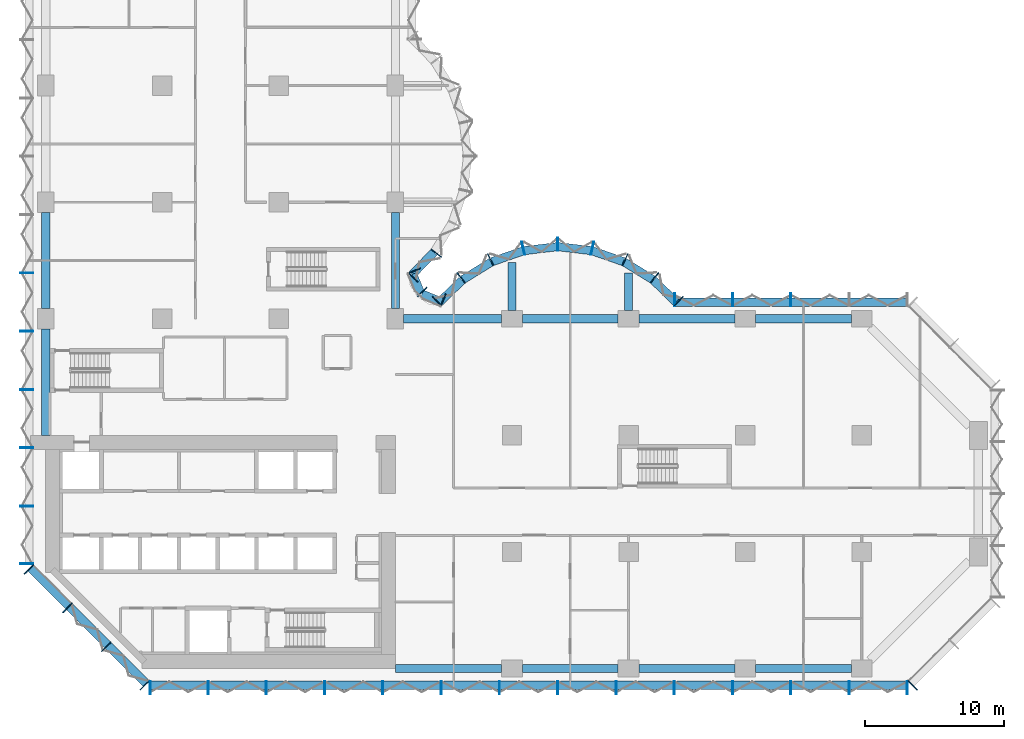
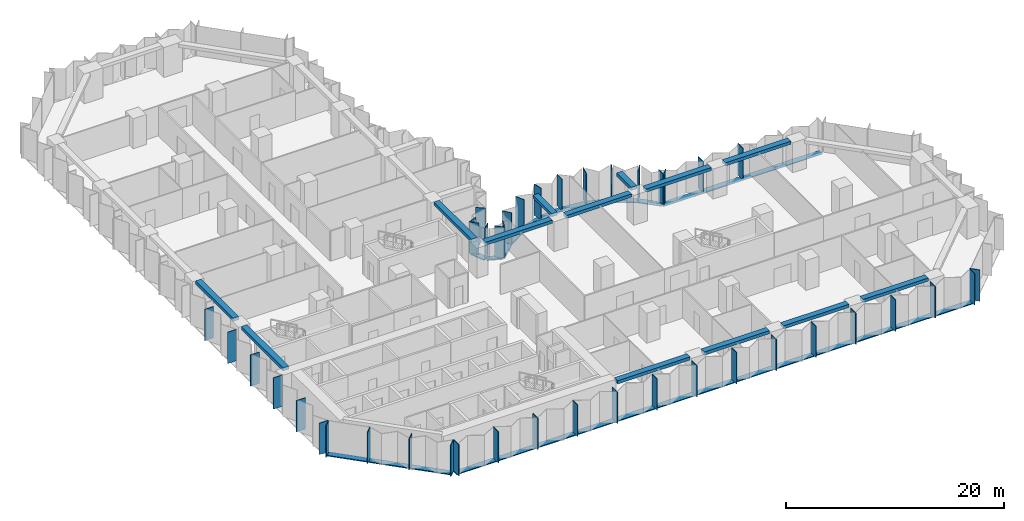
# One storey, part 2 of 15: 56 members, 13 beams, 8 elements without a shape of their own.
"""IFC4 building model written with IfcOpenShell, lengths in metres."""

from ifc_helpers import new_model, si_unit, direction, frame, origin, origin_2d, place, context, subcontext, project, spatial, rectangle, extrude, material, material_profile, profile_set, type_object, element, aggregate, save


model = new_model("IFC4")

# Units and contexts
model_context = context("Model", 3, precision=1e-05, world=origin(), true_north=direction((0.0, 1.0)))
body_context = subcontext(model_context, "Body", "Model", "MODEL_VIEW")
ifc_project = project(units=[si_unit("LENGTHUNIT", "METRE"), si_unit("AREAUNIT", "SQUARE_METRE"), si_unit("VOLUMEUNIT", "CUBIC_METRE"), si_unit("PLANEANGLEUNIT", "RADIAN"), si_unit("MASSUNIT", "GRAM", prefix="KILO")], contexts=[model_context])

# Site, building, storey
site_placement = place(None, origin())
site = spatial("IfcSite", under=ifc_project, at=site_placement, CompositionType="ELEMENT")
building_placement = place(site_placement, origin())
building = spatial("IfcBuilding", under=site, at=building_placement, Name="Brevane Broadcast Tower", CompositionType="ELEMENT")
storey_placement = place(building_placement, frame((0.0, 0.0, 50.89990234375)))
storey = spatial("IfcBuildingStorey", under=building, at=storey_placement, Name="L10", CompositionType="ELEMENT", Elevation=50.89990234375)

# Curtain wall, members
ifc_material_1 = material(Name="Aluminium 6063-T6 bronze anodised", Category="aluminium")
curtain_wall_type = type_object("IfcCurtainWallType", Name="CW-1 curtain wall", PredefinedType="NOTDEFINED", material=ifc_material_1)
curtain_wall_1_placement = place(storey_placement, origin())
curtain_wall_1 = element("IfcCurtainWall", 1, at=curtain_wall_1_placement, inside=storey, type_object=curtain_wall_type, Name="CW-1 typical tilted unit L10 south face", PredefinedType="NOTDEFINED")
ifc_material_profile_1 = material_profile(ifc_material_1, rectangle(XDim=0.949951171875, YDim=0.070068359375, at=origin_2d()), Name="RECT 70x950")
ifc_profile_set_1 = profile_set([ifc_material_profile_1], Name="Aluminium 6063-T6 bronze anodised")
member_type_1 = type_object("IfcMemberType", Name="CW-1 mullion 70x950", PredefinedType="MULLION", material=ifc_profile_set_1)
member_1_placement = place(storey_placement, frame((7.534912109375, -1.375, -0.14990234375), z_axis=(0.0, 0.0, 1.0), x_axis=(0.0, 1.0, 0.0)))
member_1 = element("IfcMember", 2, at=member_1_placement, type_object=member_type_1, Name="CW-1 mullion", PredefinedType="MULLION", context=body_context, shape_type="SweptSolid", body=[
    extrude(rectangle(XDim=0.949951171875, YDim=0.070068359375, at=origin_2d()), origin(), (0.0, 0.0, 1.0), 3.5),
])
member_2_placement = place(storey_placement, frame((11.699951171875, -1.375, -0.14990234375), z_axis=(0.0, 0.0, 1.0), x_axis=(0.0, 1.0, 0.0)))
member_2 = element("IfcMember", 3, at=member_2_placement, type_object=member_type_1, Name="CW-1 mullion", PredefinedType="MULLION", context=body_context, shape_type="SweptSolid", body=[
    extrude(rectangle(XDim=0.949951171875, YDim=0.070068359375, at=origin_2d()), origin(), (0.0, 0.0, 1.0), 3.5),
])
member_3_placement = place(storey_placement, frame((15.89990234375, -1.375, -0.14990234375), z_axis=(0.0, 0.0, 1.0), x_axis=(0.0, 1.0, 0.0)))
member_3 = element("IfcMember", 4, at=member_3_placement, type_object=member_type_1, Name="CW-1 mullion", PredefinedType="MULLION", context=body_context, shape_type="SweptSolid", body=[
    extrude(rectangle(XDim=0.949951171875, YDim=0.070068359375, at=origin_2d()), origin(), (0.0, 0.0, 1.0), 3.5),
])
member_4_placement = place(storey_placement, frame((20.10009765625, -1.375, -0.14990234375), z_axis=(0.0, 0.0, 1.0), x_axis=(0.0, 1.0, 0.0)))
member_4 = element("IfcMember", 5, at=member_4_placement, type_object=member_type_1, Name="CW-1 mullion", PredefinedType="MULLION", context=body_context, shape_type="SweptSolid", body=[
    extrude(rectangle(XDim=0.949951171875, YDim=0.070068359375, at=origin_2d()), origin(), (0.0, 0.0, 1.0), 3.5),
])
member_5_placement = place(storey_placement, frame((24.300048828125, -1.375, -0.14990234375), z_axis=(0.0, 0.0, 1.0), x_axis=(0.0, 1.0, 0.0)))
member_5 = element("IfcMember", 6, at=member_5_placement, type_object=member_type_1, Name="CW-1 mullion", PredefinedType="MULLION", context=body_context, shape_type="SweptSolid", body=[
    extrude(rectangle(XDim=0.949951171875, YDim=0.070068359375, at=origin_2d()), origin(), (0.0, 0.0, 1.0), 3.5),
])
member_6_placement = place(storey_placement, frame((28.5, -1.375, -0.14990234375), z_axis=(0.0, 0.0, 1.0), x_axis=(0.0, 1.0, 0.0)))
member_6 = element("IfcMember", 7, at=member_6_placement, type_object=member_type_1, Name="CW-1 mullion", PredefinedType="MULLION", context=body_context, shape_type="SweptSolid", body=[
    extrude(rectangle(XDim=0.949951171875, YDim=0.070068359375, at=origin_2d()), origin(), (0.0, 0.0, 1.0), 3.5),
])
member_7_placement = place(storey_placement, frame((32.699951171875, -1.375, -0.14990234375), z_axis=(0.0, 0.0, 1.0), x_axis=(0.0, 1.0, 0.0)))
member_7 = element("IfcMember", 8, at=member_7_placement, type_object=member_type_1, Name="CW-1 mullion", PredefinedType="MULLION", context=body_context, shape_type="SweptSolid", body=[
    extrude(rectangle(XDim=0.949951171875, YDim=0.070068359375, at=origin_2d()), origin(), (0.0, 0.0, 1.0), 3.5),
])
member_8_placement = place(storey_placement, frame((36.89990234375, -1.375, -0.14990234375), z_axis=(0.0, 0.0, 1.0), x_axis=(0.0, 1.0, 0.0)))
member_8 = element("IfcMember", 9, at=member_8_placement, type_object=member_type_1, Name="CW-1 mullion", PredefinedType="MULLION", context=body_context, shape_type="SweptSolid", body=[
    extrude(rectangle(XDim=0.949951171875, YDim=0.070068359375, at=origin_2d()), origin(), (0.0, 0.0, 1.0), 3.5),
])
member_9_placement = place(storey_placement, frame((41.10009765625, -1.375, -0.14990234375), z_axis=(0.0, 0.0, 1.0), x_axis=(0.0, 1.0, 0.0)))
member_9 = element("IfcMember", 10, at=member_9_placement, type_object=member_type_1, Name="CW-1 mullion", PredefinedType="MULLION", context=body_context, shape_type="SweptSolid", body=[
    extrude(rectangle(XDim=0.949951171875, YDim=0.070068359375, at=origin_2d()), origin(), (0.0, 0.0, 1.0), 3.5),
])
member_10_placement = place(storey_placement, frame((45.300048828125, -1.375, -0.14990234375), z_axis=(0.0, 0.0, 1.0), x_axis=(0.0, 1.0, 0.0)))
member_10 = element("IfcMember", 11, at=member_10_placement, type_object=member_type_1, Name="CW-1 mullion", PredefinedType="MULLION", context=body_context, shape_type="SweptSolid", body=[
    extrude(rectangle(XDim=0.949951171875, YDim=0.070068359375, at=origin_2d()), origin(), (0.0, 0.0, 1.0), 3.5),
])
member_11_placement = place(storey_placement, frame((49.5, -1.375, -0.14990234375), z_axis=(0.0, 0.0, 1.0), x_axis=(0.0, 1.0, 0.0)))
member_11 = element("IfcMember", 12, at=member_11_placement, type_object=member_type_1, Name="CW-1 mullion", PredefinedType="MULLION", context=body_context, shape_type="SweptSolid", body=[
    extrude(rectangle(XDim=0.949951171875, YDim=0.070068359375, at=origin_2d()), origin(), (0.0, 0.0, 1.0), 3.5),
])
member_12_placement = place(storey_placement, frame((53.699951171875, -1.375, -0.14990234375), z_axis=(0.0, 0.0, 1.0), x_axis=(0.0, 1.0, 0.0)))
member_12 = element("IfcMember", 13, at=member_12_placement, type_object=member_type_1, Name="CW-1 mullion", PredefinedType="MULLION", context=body_context, shape_type="SweptSolid", body=[
    extrude(rectangle(XDim=0.949951171875, YDim=0.070068359375, at=origin_2d()), origin(), (0.0, 0.0, 1.0), 3.5),
])
member_13_placement = place(storey_placement, frame((57.89990234375, -1.375, -0.14990234375), z_axis=(0.0, 0.0, 1.0), x_axis=(0.0, 1.0, 0.0)))
member_13 = element("IfcMember", 14, at=member_13_placement, type_object=member_type_1, Name="CW-1 mullion", PredefinedType="MULLION", context=body_context, shape_type="SweptSolid", body=[
    extrude(rectangle(XDim=0.949951171875, YDim=0.070068359375, at=origin_2d()), origin(), (0.0, 0.0, 1.0), 3.5),
])
member_14_placement = place(storey_placement, frame((62.06494140625, -1.375, -0.14990234375), z_axis=(0.0, 0.0, 1.0), x_axis=(0.0, 1.0, 0.0)))
member_14 = element("IfcMember", 15, at=member_14_placement, type_object=member_type_1, Name="CW-1 mullion", PredefinedType="MULLION", context=body_context, shape_type="SweptSolid", body=[
    extrude(rectangle(XDim=0.949951171875, YDim=0.070068359375, at=origin_2d()), origin(), (0.0, 0.0, 1.0), 3.5),
])

# Curtain wall, member
curtain_wall_2_placement = place(storey_placement, origin())
curtain_wall_2 = element("IfcCurtainWall", 16, at=curtain_wall_2_placement, inside=storey, type_object=curtain_wall_type, Name="CW-1 typical tilted unit L10 south-east chamfer", PredefinedType="NOTDEFINED")
member_15_placement = place(storey_placement, frame((62.460693359375, -1.211181640625, -0.14990234375), z_axis=(0.0, 0.0, 1.0), x_axis=(-0.707106781187, 0.707106781187, 0.0)))
member_15 = element("IfcMember", 17, at=member_15_placement, type_object=member_type_1, Name="CW-1 mullion", PredefinedType="MULLION", context=body_context, shape_type="SweptSolid", body=[
    extrude(rectangle(XDim=0.949951171875, YDim=0.070068359375, at=origin_2d()), origin(), (0.0, 0.0, 1.0), 3.5),
])
aggregate(curtain_wall_2, [member_15])

# Curtain wall, members
curtain_wall_3_placement = place(storey_placement, origin())
curtain_wall_3 = element("IfcCurtainWall", 18, at=curtain_wall_3_placement, inside=storey, type_object=curtain_wall_type, Name="CW-1 typical tilted unit L10 east arm north face", PredefinedType="NOTDEFINED")
member_16_placement = place(storey_placement, frame((53.699951171875, 26.574951171875, -0.14990234375), z_axis=(0.0, 0.0, 1.0), x_axis=(0.0, -1.0, 0.0)))
member_16 = element("IfcMember", 19, at=member_16_placement, type_object=member_type_1, Name="CW-1 mullion", PredefinedType="MULLION", context=body_context, shape_type="SweptSolid", body=[
    extrude(rectangle(XDim=0.949951171875, YDim=0.070068359375, at=origin_2d()), origin(), (0.0, 0.0, 1.0), 3.5),
])
member_17_placement = place(storey_placement, frame((49.5, 26.574951171875, -0.14990234375), z_axis=(0.0, 0.0, 1.0), x_axis=(0.0, -1.0, 0.0)))
member_17 = element("IfcMember", 20, at=member_17_placement, type_object=member_type_1, Name="CW-1 mullion", PredefinedType="MULLION", context=body_context, shape_type="SweptSolid", body=[
    extrude(rectangle(XDim=0.949951171875, YDim=0.070068359375, at=origin_2d()), origin(), (0.0, 0.0, 1.0), 3.5),
])
member_18_placement = place(storey_placement, frame((45.3349609375, 26.574951171875, -0.14990234375), z_axis=(0.0, 0.0, 1.0), x_axis=(0.0, -1.0, 0.0)))
member_18 = element("IfcMember", 21, at=member_18_placement, type_object=member_type_1, Name="CW-1 mullion", PredefinedType="MULLION", context=body_context, shape_type="SweptSolid", body=[
    extrude(rectangle(XDim=0.949951171875, YDim=0.070068359375, at=origin_2d()), origin(), (0.0, 0.0, 1.0), 3.5),
])

curtain_wall_4_placement = place(storey_placement, origin())
curtain_wall_4 = element("IfcCurtainWall", 22, at=curtain_wall_4_placement, inside=storey, type_object=curtain_wall_type, Name="CW-1 typical tilted unit L10 east bow", PredefinedType="NOTDEFINED")
member_19_placement = place(storey_placement, frame((45.60595703125, 26.465087890625, -0.14990234375), z_axis=(0.0, 0.0, 1.0), x_axis=(-0.696811941702, -0.717253872699, 0.0)))
member_19 = element("IfcMember", 23, at=member_19_placement, type_object=member_type_1, Name="CW-1 mullion", PredefinedType="MULLION", context=body_context, shape_type="SweptSolid", body=[
    extrude(rectangle(XDim=0.949951171875, YDim=0.070068359375, at=origin_2d()), origin(), (0.0, 0.0, 1.0), 3.5),
])
member_20_placement = place(storey_placement, frame((43.8720703125, 28.1455078125, -0.14990234375), z_axis=(0.0, 0.0, 1.0), x_axis=(-0.614769738617, -0.788706642853, 0.0)))
member_20 = element("IfcMember", 24, at=member_20_placement, type_object=member_type_1, Name="CW-1 mullion", PredefinedType="MULLION", context=body_context, shape_type="SweptSolid", body=[
    extrude(rectangle(XDim=0.949951171875, YDim=0.070068359375, at=origin_2d()), origin(), (0.0, 0.0, 1.0), 3.5),
])
member_21_placement = place(storey_placement, frame((41.746826171875, 29.4580078125, -0.14990234375), z_axis=(0.0, 0.0, 1.0), x_axis=(-0.429933601163, -0.902860508933, 0.0)))
member_21 = element("IfcMember", 25, at=member_21_placement, type_object=member_type_1, Name="CW-1 mullion", PredefinedType="MULLION", context=body_context, shape_type="SweptSolid", body=[
    extrude(rectangle(XDim=0.949951171875, YDim=0.070068359375, at=origin_2d()), origin(), (0.0, 0.0, 1.0), 3.5),
])
member_22_placement = place(storey_placement, frame((39.38818359375, 30.28076171875, -0.14990234375), z_axis=(0.0, 0.0, 1.0), x_axis=(-0.224806482215, -0.974403430594, 0.0)))
member_22 = element("IfcMember", 26, at=member_22_placement, type_object=member_type_1, Name="CW-1 mullion", PredefinedType="MULLION", context=body_context, shape_type="SweptSolid", body=[
    extrude(rectangle(XDim=0.949951171875, YDim=0.070068359375, at=origin_2d()), origin(), (0.0, 0.0, 1.0), 3.5),
])
member_23_placement = place(storey_placement, frame((36.89990234375, 30.574951171875, -0.14990234375), z_axis=(0.0, 0.0, 1.0), x_axis=(0.0, -1.0, 0.0)))
member_23 = element("IfcMember", 27, at=member_23_placement, type_object=member_type_1, Name="CW-1 mullion", PredefinedType="MULLION", context=body_context, shape_type="SweptSolid", body=[
    extrude(rectangle(XDim=0.949951171875, YDim=0.070068359375, at=origin_2d()), origin(), (0.0, 0.0, 1.0), 3.5),
])
member_24_placement = place(storey_placement, frame((34.411865234375, 30.28076171875, -0.14990234375), z_axis=(0.0, 0.0, 1.0), x_axis=(0.224806482215, -0.974403430594, 0.0)))
member_24 = element("IfcMember", 28, at=member_24_placement, type_object=member_type_1, Name="CW-1 mullion", PredefinedType="MULLION", context=body_context, shape_type="SweptSolid", body=[
    extrude(rectangle(XDim=0.949951171875, YDim=0.070068359375, at=origin_2d()), origin(), (0.0, 0.0, 1.0), 3.5),
])
member_25_placement = place(storey_placement, frame((32.05322265625, 29.4580078125, -0.14990234375), z_axis=(0.0, 0.0, 1.0), x_axis=(0.429933601163, -0.902860508933, 0.0)))
member_25 = element("IfcMember", 29, at=member_25_placement, type_object=member_type_1, Name="CW-1 mullion", PredefinedType="MULLION", context=body_context, shape_type="SweptSolid", body=[
    extrude(rectangle(XDim=0.949951171875, YDim=0.070068359375, at=origin_2d()), origin(), (0.0, 0.0, 1.0), 3.5),
])
member_26_placement = place(storey_placement, frame((29.927978515625, 28.1455078125, -0.14990234375), z_axis=(0.0, 0.0, 1.0), x_axis=(0.614769738617, -0.788706642853, 0.0)))
member_26 = element("IfcMember", 30, at=member_26_placement, type_object=member_type_1, Name="CW-1 mullion", PredefinedType="MULLION", context=body_context, shape_type="SweptSolid", body=[
    extrude(rectangle(XDim=0.949951171875, YDim=0.070068359375, at=origin_2d()), origin(), (0.0, 0.0, 1.0), 3.5),
])
member_27_placement = place(storey_placement, frame((28.194091796875, 26.465087890625, -0.14990234375), z_axis=(0.0, 0.0, 1.0), x_axis=(0.696811941702, -0.717253872699, 0.0)))
member_27 = element("IfcMember", 31, at=member_27_placement, type_object=member_type_1, Name="CW-1 mullion", PredefinedType="MULLION", context=body_context, shape_type="SweptSolid", body=[
    extrude(rectangle(XDim=0.949951171875, YDim=0.070068359375, at=origin_2d()), origin(), (0.0, 0.0, 1.0), 3.5),
])

curtain_wall_5_placement = place(storey_placement, origin())
curtain_wall_5 = element("IfcCurtainWall", 32, at=curtain_wall_5_placement, inside=storey, type_object=curtain_wall_type, Name="CW-1 typical tilted unit L10 inner corner", PredefinedType="NOTDEFINED")
member_28_placement = place(storey_placement, frame((28.6494140625, 26.55224609375, -0.14990234375), z_axis=(0.0, 0.0, 1.0), x_axis=(-0.382683612978, -0.923879457699, 0.0)))
member_28 = element("IfcMember", 33, at=member_28_placement, type_object=member_type_1, Name="CW-1 mullion", PredefinedType="MULLION", context=body_context, shape_type="SweptSolid", body=[
    extrude(rectangle(XDim=0.949951171875, YDim=0.070068359375, at=origin_2d()), origin(), (0.0, 0.0, 1.0), 3.5),
])
member_29_placement = place(storey_placement, frame((27.138916015625, 27.138916015625, -0.14990234375), z_axis=(0.0, 0.0, 1.0), x_axis=(-0.707106781187, -0.707106781187, 0.0)))
member_29 = element("IfcMember", 34, at=member_29_placement, type_object=member_type_1, Name="CW-1 mullion", PredefinedType="MULLION", context=body_context, shape_type="SweptSolid", body=[
    extrude(rectangle(XDim=0.949951171875, YDim=0.070068359375, at=origin_2d()), origin(), (0.0, 0.0, 1.0), 3.5),
])
member_30_placement = place(storey_placement, frame((26.55224609375, 28.6494140625, -0.14990234375), z_axis=(0.0, 0.0, 1.0), x_axis=(-0.923879457699, -0.382683612978, 0.0)))
member_30 = element("IfcMember", 35, at=member_30_placement, type_object=member_type_1, Name="CW-1 mullion", PredefinedType="MULLION", context=body_context, shape_type="SweptSolid", body=[
    extrude(rectangle(XDim=0.949951171875, YDim=0.070068359375, at=origin_2d()), origin(), (0.0, 0.0, 1.0), 3.5),
])

curtain_wall_6_placement = place(storey_placement, origin())
curtain_wall_6 = element("IfcCurtainWall", 36, at=curtain_wall_6_placement, inside=storey, type_object=curtain_wall_type, Name="CW-1 typical tilted unit L10 north bow", PredefinedType="NOTDEFINED")
member_31_placement = place(storey_placement, frame((26.465087890625, 28.194091796875, -0.14990234375), z_axis=(0.0, 0.0, 1.0), x_axis=(-0.717253872699, 0.696811941702, 0.0)))
member_31 = element("IfcMember", 37, at=member_31_placement, type_object=member_type_1, Name="CW-1 mullion", PredefinedType="MULLION", context=body_context, shape_type="SweptSolid", body=[
    extrude(rectangle(XDim=0.949951171875, YDim=0.070068359375, at=origin_2d()), origin(), (0.0, 0.0, 1.0), 3.5),
])
member_32_placement = place(storey_placement, frame((28.1455078125, 29.927978515625, -0.14990234375), z_axis=(0.0, 0.0, 1.0), x_axis=(-0.788706642853, 0.614769738617, 0.0)))
member_32 = element("IfcMember", 38, at=member_32_placement, type_object=member_type_1, Name="CW-1 mullion", PredefinedType="MULLION", context=body_context, shape_type="SweptSolid", body=[
    extrude(rectangle(XDim=0.949951171875, YDim=0.070068359375, at=origin_2d()), origin(), (0.0, 0.0, 1.0), 3.5),
])

curtain_wall_7_placement = place(storey_placement, origin())
curtain_wall_7 = element("IfcCurtainWall", 39, at=curtain_wall_7_placement, inside=storey, type_object=curtain_wall_type, Name="CW-1 typical tilted unit L10 west face", PredefinedType="NOTDEFINED")
member_33_placement = place(storey_placement, frame((-1.375, 28.5, -0.14990234375), z_axis=(0.0, 0.0, 1.0), x_axis=(1.0, 0.0, 0.0)))
member_33 = element("IfcMember", 40, at=member_33_placement, type_object=member_type_1, Name="CW-1 mullion", PredefinedType="MULLION", context=body_context, shape_type="SweptSolid", body=[
    extrude(rectangle(XDim=0.949951171875, YDim=0.070068359375, at=origin_2d()), origin(), (0.0, 0.0, 1.0), 3.5),
])
member_34_placement = place(storey_placement, frame((-1.375, 24.300048828125, -0.14990234375), z_axis=(0.0, 0.0, 1.0), x_axis=(1.0, 0.0, 0.0)))
member_34 = element("IfcMember", 41, at=member_34_placement, type_object=member_type_1, Name="CW-1 mullion", PredefinedType="MULLION", context=body_context, shape_type="SweptSolid", body=[
    extrude(rectangle(XDim=0.949951171875, YDim=0.070068359375, at=origin_2d()), origin(), (0.0, 0.0, 1.0), 3.5),
])
member_35_placement = place(storey_placement, frame((-1.375, 20.10009765625, -0.14990234375), z_axis=(0.0, 0.0, 1.0), x_axis=(1.0, 0.0, 0.0)))
member_35 = element("IfcMember", 42, at=member_35_placement, type_object=member_type_1, Name="CW-1 mullion", PredefinedType="MULLION", context=body_context, shape_type="SweptSolid", body=[
    extrude(rectangle(XDim=0.949951171875, YDim=0.070068359375, at=origin_2d()), origin(), (0.0, 0.0, 1.0), 3.5),
])
member_36_placement = place(storey_placement, frame((-1.375, 15.89990234375, -0.14990234375), z_axis=(0.0, 0.0, 1.0), x_axis=(1.0, 0.0, 0.0)))
member_36 = element("IfcMember", 43, at=member_36_placement, type_object=member_type_1, Name="CW-1 mullion", PredefinedType="MULLION", context=body_context, shape_type="SweptSolid", body=[
    extrude(rectangle(XDim=0.949951171875, YDim=0.070068359375, at=origin_2d()), origin(), (0.0, 0.0, 1.0), 3.5),
])
member_37_placement = place(storey_placement, frame((-1.375, 11.699951171875, -0.14990234375), z_axis=(0.0, 0.0, 1.0), x_axis=(1.0, 0.0, 0.0)))
member_37 = element("IfcMember", 44, at=member_37_placement, type_object=member_type_1, Name="CW-1 mullion", PredefinedType="MULLION", context=body_context, shape_type="SweptSolid", body=[
    extrude(rectangle(XDim=0.949951171875, YDim=0.070068359375, at=origin_2d()), origin(), (0.0, 0.0, 1.0), 3.5),
])
member_38_placement = place(storey_placement, frame((-1.375, 7.534912109375, -0.14990234375), z_axis=(0.0, 0.0, 1.0), x_axis=(1.0, 0.0, 0.0)))
member_38 = element("IfcMember", 45, at=member_38_placement, type_object=member_type_1, Name="CW-1 mullion", PredefinedType="MULLION", context=body_context, shape_type="SweptSolid", body=[
    extrude(rectangle(XDim=0.949951171875, YDim=0.070068359375, at=origin_2d()), origin(), (0.0, 0.0, 1.0), 3.5),
])
aggregate(curtain_wall_7, [member_33, member_34, member_35, member_36, member_37, member_38])

curtain_wall_8_placement = place(storey_placement, origin())
curtain_wall_8 = element("IfcCurtainWall", 46, at=curtain_wall_8_placement, inside=storey, type_object=curtain_wall_type, Name="CW-1 typical tilted unit L10 south-west chamfer", PredefinedType="NOTDEFINED")
member_39_placement = place(storey_placement, frame((-1.211181640625, 7.139404296875, -0.14990234375), z_axis=(0.0, 0.0, 1.0), x_axis=(0.707106781187, 0.707106781187, 0.0)))
member_39 = element("IfcMember", 47, at=member_39_placement, type_object=member_type_1, Name="CW-1 mullion", PredefinedType="MULLION", context=body_context, shape_type="SweptSolid", body=[
    extrude(rectangle(XDim=0.949951171875, YDim=0.070068359375, at=origin_2d()), origin(), (0.0, 0.0, 1.0), 3.5),
])
member_40_placement = place(storey_placement, frame((1.564208984375, 4.364013671875, -0.14990234375), z_axis=(0.0, 0.0, 1.0), x_axis=(0.707106781187, 0.707106781187, 0.0)))
member_40 = element("IfcMember", 48, at=member_40_placement, type_object=member_type_1, Name="CW-1 mullion", PredefinedType="MULLION", context=body_context, shape_type="SweptSolid", body=[
    extrude(rectangle(XDim=0.949951171875, YDim=0.070068359375, at=origin_2d()), origin(), (0.0, 0.0, 1.0), 3.5),
])
member_41_placement = place(storey_placement, frame((4.364013671875, 1.564208984375, -0.14990234375), z_axis=(0.0, 0.0, 1.0), x_axis=(0.707106781187, 0.707106781187, 0.0)))
member_41 = element("IfcMember", 49, at=member_41_placement, type_object=member_type_1, Name="CW-1 mullion", PredefinedType="MULLION", context=body_context, shape_type="SweptSolid", body=[
    extrude(rectangle(XDim=0.949951171875, YDim=0.070068359375, at=origin_2d()), origin(), (0.0, 0.0, 1.0), 3.5),
])
member_42_placement = place(storey_placement, frame((7.139404296875, -1.211181640625, -0.14990234375), z_axis=(0.0, 0.0, 1.0), x_axis=(0.707106781187, 0.707106781187, 0.0)))
member_42 = element("IfcMember", 50, at=member_42_placement, type_object=member_type_1, Name="CW-1 mullion", PredefinedType="MULLION", context=body_context, shape_type="SweptSolid", body=[
    extrude(rectangle(XDim=0.949951171875, YDim=0.070068359375, at=origin_2d()), origin(), (0.0, 0.0, 1.0), 3.5),
])

# Member
ifc_material_profile_2 = material_profile(ifc_material_1, rectangle(XDim=0.60009765625, YDim=0.10009765625, at=origin_2d()), Name="RECT 100x600")
ifc_profile_set_2 = profile_set([ifc_material_profile_2], Name="Aluminium 6063-T6 bronze anodised")
member_type_2 = type_object("IfcMemberType", Name="CW-1 transom 100x600", PredefinedType="USERDEFINED", material=ifc_profile_set_2)
member_43_placement = place(storey_placement, frame((7.5, -1.199951171875, -0.199951171875), z_axis=(1.0, 0.0, 0.0), x_axis=(0.0, 1.0, 0.0)))
member_43 = element("IfcMember", 51, at=member_43_placement, type_object=member_type_2, Name="CW-1 transom", ObjectType="TRANSOM", PredefinedType="USERDEFINED", context=body_context, shape_type="SweptSolid", body=[
    extrude(rectangle(XDim=0.60009765625, YDim=0.10009765625, at=origin_2d()), origin(), (0.0, 0.0, 1.0), 54.60009765625),
])

aggregate(curtain_wall_1, [member_1, member_2, member_3, member_4, member_5, member_6, member_7, member_8, member_9, member_10, member_11, member_12, member_13, member_14, member_43])

member_44_placement = place(storey_placement, frame((62.10009765625, 26.39990234375, -0.199951171875), z_axis=(-1.0, 0.0, 0.0), x_axis=(0.0, -1.0, 0.0)))
member_44 = element("IfcMember", 52, at=member_44_placement, type_object=member_type_2, Name="CW-1 transom", ObjectType="TRANSOM", PredefinedType="USERDEFINED", context=body_context, shape_type="SweptSolid", body=[
    extrude(rectangle(XDim=0.60009765625, YDim=0.10009765625, at=origin_2d()), origin(), (0.0, 0.0, 1.0), 16.800048828125),
])

aggregate(curtain_wall_3, [member_16, member_17, member_18, member_44])

member_45_placement = place(storey_placement, frame((45.412841796875, 26.407958984375, -0.199951171875), z_axis=(-0.71724215871, 0.696823999134, 0.0), x_axis=(-0.696823999134, -0.71724215871, 0.0)))
member_45 = element("IfcMember", 53, at=member_45_placement, type_object=member_type_2, Name="CW-1 transom", ObjectType="TRANSOM", PredefinedType="USERDEFINED", context=body_context, shape_type="SweptSolid", body=[
    extrude(rectangle(XDim=0.60009765625, YDim=0.10009765625, at=origin_2d()), origin(), (0.0, 0.0, 1.0), 2.247802734375),
])

member_46_placement = place(storey_placement, frame((43.7421875, 28.023193359375, -0.199951171875), z_axis=(-0.850810063131, 0.525473345162, 0.0), x_axis=(-0.525473345162, -0.850810063131, 0.0)))
member_46 = element("IfcMember", 54, at=member_46_placement, type_object=member_type_2, Name="CW-1 transom", ObjectType="TRANSOM", PredefinedType="USERDEFINED", context=body_context, shape_type="SweptSolid", body=[
    extrude(rectangle(XDim=0.60009765625, YDim=0.10009765625, at=origin_2d()), origin(), (0.0, 0.0, 1.0), 2.39453125),
])

member_47_placement = place(storey_placement, frame((41.63623046875, 29.314208984375, -0.199951171875), z_axis=(-0.944197969542, 0.329378497041, 0.0), x_axis=(-0.329378497041, -0.944197969542, 0.0)))
member_47 = element("IfcMember", 55, at=member_47_placement, type_object=member_type_2, Name="CW-1 transom", ObjectType="TRANSOM", PredefinedType="USERDEFINED", context=body_context, shape_type="SweptSolid", body=[
    extrude(rectangle(XDim=0.60009765625, YDim=0.10009765625, at=origin_2d()), origin(), (0.0, 0.0, 1.0), 2.394775390625),
])

member_48_placement = place(storey_placement, frame((39.30029296875, 30.117431640625, -0.199951171875), z_axis=(-0.993062061831, 0.117591417, 0.0), x_axis=(-0.117591417, -0.993062061831, 0.0)))
member_48 = element("IfcMember", 56, at=member_48_placement, type_object=member_type_2, Name="CW-1 transom", ObjectType="TRANSOM", PredefinedType="USERDEFINED", context=body_context, shape_type="SweptSolid", body=[
    extrude(rectangle(XDim=0.60009765625, YDim=0.10009765625, at=origin_2d()), origin(), (0.0, 0.0, 1.0), 2.39794921875),
])

member_49_placement = place(storey_placement, frame((36.880859375, 30.3994140625, -0.199951171875), z_axis=(-0.993060653805, -0.117603307202, 0.0), x_axis=(0.117603307202, -0.993060653805, 0.0)))
member_49 = element("IfcMember", 57, at=member_49_placement, type_object=member_type_2, Name="CW-1 transom", ObjectType="TRANSOM", PredefinedType="USERDEFINED", context=body_context, shape_type="SweptSolid", body=[
    extrude(rectangle(XDim=0.60009765625, YDim=0.10009765625, at=origin_2d()), origin(), (0.0, 0.0, 1.0), 2.397705078125),
])

member_50_placement = place(storey_placement, frame((34.425048828125, 30.10302734375, -0.199951171875), z_axis=(-0.944197969542, -0.329378497041, 0.0), x_axis=(0.329378497041, -0.944197969542, 0.0)))
member_50 = element("IfcMember", 58, at=member_50_placement, type_object=member_type_2, Name="CW-1 transom", ObjectType="TRANSOM", PredefinedType="USERDEFINED", context=body_context, shape_type="SweptSolid", body=[
    extrude(rectangle(XDim=0.60009765625, YDim=0.10009765625, at=origin_2d()), origin(), (0.0, 0.0, 1.0), 2.394775390625),
])

member_51_placement = place(storey_placement, frame((32.09521484375, 29.281494140625, -0.199951171875), z_axis=(-0.850838211365, -0.525427766759, 0.0), x_axis=(0.525427766759, -0.850838211365, 0.0)))
member_51 = element("IfcMember", 59, at=member_51_placement, type_object=member_type_2, Name="CW-1 transom", ObjectType="TRANSOM", PredefinedType="USERDEFINED", context=body_context, shape_type="SweptSolid", body=[
    extrude(rectangle(XDim=0.60009765625, YDim=0.10009765625, at=origin_2d()), origin(), (0.0, 0.0, 1.0), 2.394775390625),
])

member_52_placement = place(storey_placement, frame((29.99951171875, 27.974365234375, -0.199951171875), z_axis=(-0.71724215871, -0.696823999134, 0.0), x_axis=(0.696823999134, -0.71724215871, 0.0)))
member_52 = element("IfcMember", 60, at=member_52_placement, type_object=member_type_2, Name="CW-1 transom", ObjectType="TRANSOM", PredefinedType="USERDEFINED", context=body_context, shape_type="SweptSolid", body=[
    extrude(rectangle(XDim=0.60009765625, YDim=0.10009765625, at=origin_2d()), origin(), (0.0, 0.0, 1.0), 2.247802734375),
])

aggregate(curtain_wall_4, [member_19, member_20, member_21, member_22, member_23, member_24, member_25, member_26, member_27, member_45, member_46, member_47, member_48, member_49, member_50, member_51, member_52])

member_53_placement = place(storey_placement, frame((28.528076171875, 26.40673828125, -0.199951171875), z_axis=(-0.923883243627, 0.382674472816, 0.0), x_axis=(-0.382674472816, -0.923883243627, 0.0)))
member_53 = element("IfcMember", 61, at=member_53_placement, type_object=member_type_2, Name="CW-1 transom", ObjectType="TRANSOM", PredefinedType="USERDEFINED", context=body_context, shape_type="SweptSolid", body=[
    extrude(rectangle(XDim=0.60009765625, YDim=0.10009765625, at=origin_2d()), origin(), (0.0, 0.0, 1.0), 1.536865234375),
])

member_54_placement = place(storey_placement, frame((27.039794921875, 27.0, -0.199951171875), z_axis=(-0.382674472816, 0.923883243627, 0.0), x_axis=(-0.923883243627, -0.382674472816, 0.0)))
member_54 = element("IfcMember", 62, at=member_54_placement, type_object=member_type_2, Name="CW-1 transom", ObjectType="TRANSOM", PredefinedType="USERDEFINED", context=body_context, shape_type="SweptSolid", body=[
    extrude(rectangle(XDim=0.60009765625, YDim=0.10009765625, at=origin_2d()), origin(), (0.0, 0.0, 1.0), 1.536865234375),
])

aggregate(curtain_wall_5, [member_28, member_29, member_30, member_53, member_54])

member_55_placement = place(storey_placement, frame((26.407958984375, 28.38720703125, -0.199951171875), z_axis=(0.696823999134, 0.71724215871, 0.0), x_axis=(-0.71724215871, 0.696823999134, 0.0)))
member_55 = element("IfcMember", 63, at=member_55_placement, type_object=member_type_2, Name="CW-1 transom", ObjectType="TRANSOM", PredefinedType="USERDEFINED", context=body_context, shape_type="SweptSolid", body=[
    extrude(rectangle(XDim=0.60009765625, YDim=0.10009765625, at=origin_2d()), origin(), (0.0, 0.0, 1.0), 2.247802734375),
])

aggregate(curtain_wall_6, [member_31, member_32, member_55])

member_56_placement = place(storey_placement, frame((-1.112060546875, 7.287841796875, -0.199951171875), z_axis=(0.707106781187, -0.707106781187, 0.0), x_axis=(0.707106781187, 0.707106781187, 0.0)))
member_56 = element("IfcMember", 64, at=member_56_placement, type_object=member_type_2, Name="CW-1 transom", ObjectType="TRANSOM", PredefinedType="USERDEFINED", context=body_context, shape_type="SweptSolid", body=[
    extrude(rectangle(XDim=0.60009765625, YDim=0.10009765625, at=origin_2d()), origin(), (0.0, 0.0, 1.0), 11.879150390625),
])

aggregate(curtain_wall_8, [member_39, member_40, member_41, member_42, member_56])

# Beams
ifc_material_2 = material(Name="Concrete C40/50", Category="concrete")
ifc_material_profile_3 = material_profile(ifc_material_2, rectangle(XDim=0.60009765625, YDim=0.35009765625, at=origin_2d()), Name="RC 600x350")
ifc_profile_set_3 = profile_set([ifc_material_profile_3], Name="Concrete C40/50")
beam_type_1 = type_object("IfcBeamType", Name="RC BRACKET BEAM 600x350 C40/50", PredefinedType="BEAM", material=ifc_profile_set_3)
beam_1_placement = place(storey_placement, frame((33.60009765625, 25.800048828125, 3.175048828125), z_axis=(0.0, 1.0, 0.0), x_axis=(-1.0, 0.0, 0.0)))
element("IfcBeam", 65, at=beam_1_placement, inside=storey, type_object=beam_type_1, Name="EB2 L10-3", PredefinedType="BEAM", context=body_context, shape_type="SweptSolid", body=[
    extrude(rectangle(XDim=0.60009765625, YDim=0.35009765625, at=origin_2d()), origin(), (0.0, 0.0, 1.0), 3.4619140625),
])
beam_2_placement = place(storey_placement, frame((42.0, 25.800048828125, 3.175048828125), z_axis=(0.0, 1.0, 0.0), x_axis=(-1.0, 0.0, 0.0)))
element("IfcBeam", 66, at=beam_2_placement, inside=storey, type_object=beam_type_1, Name="EB2 L10-4", PredefinedType="BEAM", context=body_context, shape_type="SweptSolid", body=[
    extrude(rectangle(XDim=0.60009765625, YDim=0.35009765625, at=origin_2d()), origin(), (0.0, 0.0, 1.0), 2.71142578125),
])
ifc_material_profile_4 = material_profile(ifc_material_2, rectangle(XDim=0.60009765625, YDim=0.35009765625, at=origin_2d()), Name="RC 600x350")
ifc_profile_set_4 = profile_set([ifc_material_profile_4], Name="Concrete C40/50")
beam_type_2 = type_object("IfcBeamType", Name="RC SPANDREL BEAM 600x350 C40/50", PredefinedType="SPANDREL", material=ifc_profile_set_4)
beam_3_placement = place(storey_placement, frame((25.199951171875, 0.0, 3.175048828125), z_axis=(1.0, 0.0, 0.0), x_axis=(0.0, 1.0, 0.0)))
element("IfcBeam", 67, at=beam_3_placement, inside=storey, type_object=beam_type_2, Name="EB1 L10-1", PredefinedType="SPANDREL", context=body_context, shape_type="SweptSolid", body=[
    extrude(rectangle(XDim=0.60009765625, YDim=0.35009765625, at=origin_2d()), origin(), (0.0, 0.0, 1.0), 7.650146484375),
])
for number, where, z_axis, x_axis, name in (
    (68, (34.35009765625, 0.0, 3.175048828125), (1.0, 0.0, 0.0), (0.0, 1.0, 0.0), "EB1 L10-2"),
    (69, (42.75, 0.0, 3.175048828125), (1.0, 0.0, 0.0), (0.0, 1.0, 0.0), "EB1 L10-3"),
):
    element("IfcBeam", number, at=place(storey_placement, frame(where, z_axis=z_axis, x_axis=x_axis)), inside=storey, type_object=beam_type_2, Name=name, PredefinedType="SPANDREL", context=body_context, shape_type="SweptSolid", body=[
        extrude(rectangle(XDim=0.60009765625, YDim=0.35009765625, at=origin_2d()), origin(), (0.0, 0.0, 1.0), 6.89990234375),
    ])
for number, where, z_axis, x_axis, name in (
    (70, (51.14990234375, 0.0, 3.175048828125), (1.0, 0.0, 0.0), (0.0, 1.0, 0.0), "EB1 L10-4"),
    (71, (58.050048828125, 25.199951171875, 3.175048828125), (-1.0, 0.0, 0.0), (0.0, -1.0, 0.0), "EB1 L10-8"),
):
    element("IfcBeam", number, at=place(storey_placement, frame(where, z_axis=z_axis, x_axis=x_axis)), inside=storey, type_object=beam_type_2, Name=name, PredefinedType="SPANDREL", context=body_context, shape_type="SweptSolid", body=[
        extrude(rectangle(XDim=0.60009765625, YDim=0.35009765625, at=origin_2d()), origin(), (0.0, 0.0, 1.0), 6.900146484375),
    ])
for number, where, z_axis, x_axis, name in (
    (72, (49.64990234375, 25.199951171875, 3.175048828125), (-1.0, 0.0, 0.0), (0.0, -1.0, 0.0), "EB1 L10-9"),
    (73, (41.25, 25.199951171875, 3.175048828125), (-1.0, 0.0, 0.0), (0.0, -1.0, 0.0), "EB1 L10-10"),
):
    element("IfcBeam", number, at=place(storey_placement, frame(where, z_axis=z_axis, x_axis=x_axis)), inside=storey, type_object=beam_type_2, Name=name, PredefinedType="SPANDREL", context=body_context, shape_type="SweptSolid", body=[
        extrude(rectangle(XDim=0.60009765625, YDim=0.35009765625, at=origin_2d()), origin(), (0.0, 0.0, 1.0), 6.89990234375),
    ])
beam_4_placement = place(storey_placement, frame((32.85009765625, 25.199951171875, 3.175048828125), z_axis=(-1.0, 0.0, 0.0), x_axis=(0.0, -1.0, 0.0)))
element("IfcBeam", 74, at=beam_4_placement, inside=storey, type_object=beam_type_2, Name="EB1 L10-11", PredefinedType="SPANDREL", context=body_context, shape_type="SweptSolid", body=[
    extrude(rectangle(XDim=0.60009765625, YDim=0.35009765625, at=origin_2d()), origin(), (0.0, 0.0, 1.0), 7.050048828125),
])
for number, where, z_axis, x_axis, name in (
    (75, (25.199951171875, 25.949951171875, 3.175048828125), (0.0, 1.0, 0.0), (-1.0, 0.0, 0.0), "EB1 L10-12"),
    (76, (0.0, 32.85009765625, 3.175048828125), (0.0, -1.0, 0.0), (1.0, 0.0, 0.0), "EB1 L10-22"),
):
    element("IfcBeam", number, at=place(storey_placement, frame(where, z_axis=z_axis, x_axis=x_axis)), inside=storey, type_object=beam_type_2, Name=name, PredefinedType="SPANDREL", context=body_context, shape_type="SweptSolid", body=[
        extrude(rectangle(XDim=0.60009765625, YDim=0.35009765625, at=origin_2d()), origin(), (0.0, 0.0, 1.0), 6.900146484375),
    ])
beam_5_placement = place(storey_placement, frame((0.0, 24.449951171875, 3.175048828125), z_axis=(0.0, -1.0, 0.0), x_axis=(1.0, 0.0, 0.0)))
element("IfcBeam", 77, at=beam_5_placement, inside=storey, type_object=beam_type_2, Name="EB1 L10-23", PredefinedType="SPANDREL", context=body_context, shape_type="SweptSolid", body=[
    extrude(rectangle(XDim=0.60009765625, YDim=0.35009765625, at=origin_2d()), origin(), (0.0, 0.0, 1.0), 7.64990234375),
])

save(model, "model.ifc")
